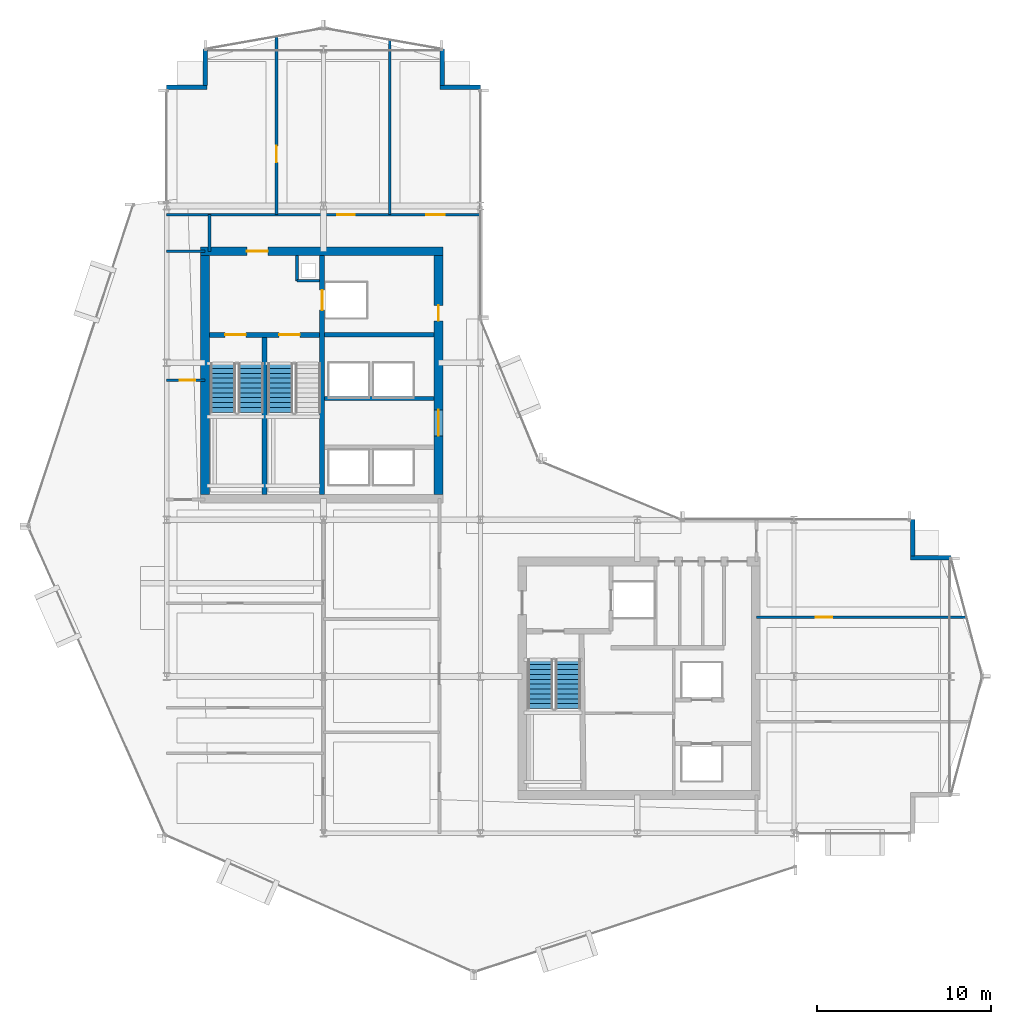
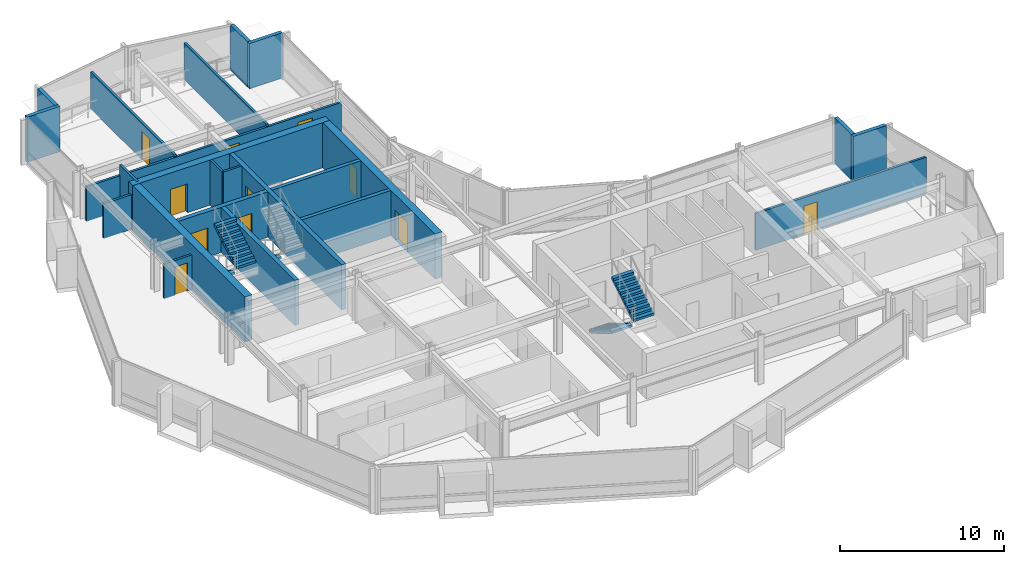
# One storey, part 23 of 29: 23 walls, 11 doors, 5 stair flights, 11 openings, 3 elements without a shape of their own.
"""IFC4 building model written with IfcOpenShell, lengths in metres."""

from ifc_helpers import new_model, si_unit, direction, frame, frame_2d, origin, place, context, subcontext, project, spatial, polyline, rectangle, outline, extrude, material, layer, layer_set, type_object, element, fill, aggregate, save


model = new_model("IFC4")

# Units and contexts
model_context = context("Model", 3, precision=1e-05, world=origin(), true_north=direction((0.0, 1.0)))
body_context = subcontext(model_context, "Body", "Model", "MODEL_VIEW")
ifc_project = project(units=[si_unit("LENGTHUNIT", "METRE"), si_unit("AREAUNIT", "SQUARE_METRE"), si_unit("VOLUMEUNIT", "CUBIC_METRE"), si_unit("PLANEANGLEUNIT", "RADIAN"), si_unit("MASSUNIT", "GRAM", prefix="KILO")], contexts=[model_context])

# Site, building, storey
site_placement = place(None, origin())
site = spatial("IfcSite", under=ifc_project, at=site_placement, CompositionType="ELEMENT")
building_placement = place(site_placement, origin())
building = spatial("IfcBuilding", under=site, at=building_placement, Name="Solvaryn Broadcast Tower", CompositionType="ELEMENT")
storey_placement = place(building_placement, frame((0.0, 0.0, 165.5)))
storey = spatial("IfcBuildingStorey", under=building, at=storey_placement, Name="L41", CompositionType="ELEMENT", Elevation=165.5)

# Wall, opening, door
ifc_material_1 = material(Name="Concrete f'c 70 MPa", Category="concrete")
ifc_layer_1 = layer(ifc_material_1, 0.5)
ifc_layer_set_1 = layer_set([ifc_layer_1], Name="CW-SHEAR-500")
wall_type_1 = type_object("IfcWallType", Name="CW-SHEAR-500", PredefinedType="SHEAR", material=ifc_layer_set_1)
wall_1_placement = place(storey_placement, frame((24.85009765625, 42.39990234375, 0.0), z_axis=(0.0, 0.0, 1.0), x_axis=(-1.0, 0.0, 0.0)))
wall_1 = element("IfcWall", 1, at=wall_1_placement, inside=storey, type_object=wall_type_1, Name="L41 West Core North Shear Wall", PredefinedType="SHEAR", context=body_context, shape_type="SweptSolid", body=[
    extrude(rectangle(XDim=13.900146484375, YDim=0.5, at=frame_2d((6.9501953125, 0.0))), origin(), (0.0, 0.0, 1.0), 3.3701171875),
])
opening_1_placement = place(wall_1_placement, frame((10.050048828125, 0.0, 0.0)))
opening_1 = element("IfcOpeningElement", 2, at=opening_1_placement, cuts=wall_1, Name="Opening FD90A", PredefinedType="OPENING", context=body_context, shape_type="SweptSolid", body=[
    extrude(rectangle(XDim=1.199951171875, YDim=2.14990234375, at=frame_2d((0.60009765625, 1.074951171875))), frame((0.0, 0.260009765625, 0.0), z_axis=(0.0, -1.0, 0.0), x_axis=(1.0, 0.0, 0.0)), (0.0, 0.0, 1.0), 0.52001953125),
])
ifc_material_2 = material(Name="Flush Acoustic Steel and Timber Door Assembly", Category="steel")
door_type_1 = type_object("IfcDoorType", Name="FD90-STAIR-1200X2150", OperationType="NOTDEFINED", PredefinedType="DOOR", material=ifc_material_2)
door_1_placement = place(opening_1_placement, origin())
door_1 = element("IfcDoor", 3, at=door_1_placement, inside=storey, type_object=door_type_1, Name="L41 West FSAE Lobby Corridor Door", OperationType="SINGLE_SWING_LEFT", OverallHeight=2.14990234375, OverallWidth=1.199951171875, PredefinedType="DOOR", context=body_context, shape_type="SweptSolid", body=[
    extrude(rectangle(XDim=1.199951171875, YDim=2.14990234375, at=frame_2d((0.60009765625, 1.074951171875))), frame((0.0, 0.02490234375, 0.0), z_axis=(0.0, -1.0, 0.0), x_axis=(1.0, 0.0, 0.0)), (0.0, 0.0, 1.0), 0.050048828125),
])
fill(opening_1, door_1)

# Wall
wall_2_placement = place(storey_placement, frame((11.199951171875, 42.14990234375, 0.0), z_axis=(0.0, 0.0, 1.0), x_axis=(0.0, -1.0, 0.0)))
element("IfcWall", 4, at=wall_2_placement, inside=storey, type_object=wall_type_1, Name="L41 West Core West Shear Wall", PredefinedType="SHEAR", context=body_context, shape_type="SweptSolid", body=[
    extrude(rectangle(XDim=13.699951171875, YDim=0.5, at=frame_2d((6.85009765625, 0.0))), origin(), (0.0, 0.0, 1.0), 3.3701171875),
])

# Wall, openings, doors
wall_3_placement = place(storey_placement, frame((24.60009765625, 28.449951171875, 0.0), z_axis=(0.0, 0.0, 1.0), x_axis=(0.0, 1.0, 0.0)))
wall_3 = element("IfcWall", 5, at=wall_3_placement, inside=storey, type_object=wall_type_1, Name="L41 West Core East Shear Wall", PredefinedType="SHEAR", context=body_context, shape_type="SweptSolid", body=[
    extrude(rectangle(XDim=13.699951171875, YDim=0.5, at=frame_2d((6.85009765625, 0.0))), origin(), (0.0, 0.0, 1.0), 3.3701171875),
])
opening_2_placement = place(wall_3_placement, frame((3.35009765625, 0.0, 0.0)))
opening_2 = element("IfcOpeningElement", 6, at=opening_2_placement, cuts=wall_3, Name="Opening FD60A", PredefinedType="OPENING", context=body_context, shape_type="SweptSolid", body=[
    extrude(rectangle(XDim=1.5, YDim=2.199951171875, at=frame_2d((0.75, 1.10009765625))), frame((0.0, 0.260009765625, 0.0), z_axis=(0.0, -1.0, 0.0), x_axis=(1.0, 0.0, 0.0)), (0.0, 0.0, 1.0), 0.52001953125),
])
opening_3_placement = place(wall_3_placement, frame((9.949951171875, 0.0, 0.0)))
opening_3 = element("IfcOpeningElement", 7, at=opening_3_placement, cuts=wall_3, Name="Opening FD60C", PredefinedType="OPENING", context=body_context, shape_type="SweptSolid", body=[
    extrude(rectangle(XDim=0.89990234375, YDim=2.10009765625, at=frame_2d((0.449951171875, 1.050048828125))), frame((0.0, 0.260009765625, 0.0), z_axis=(0.0, -1.0, 0.0), x_axis=(1.0, 0.0, 0.0)), (0.0, 0.0, 1.0), 0.52001953125),
])
ifc_material_3 = material(Name="Flush Acoustic Steel and Timber Door Assembly", Category="steel")
door_type_2 = type_object("IfcDoorType", Name="FD60-CORR-1500X2200", OperationType="NOTDEFINED", PredefinedType="DOOR", material=ifc_material_3)
door_2_placement = place(opening_2_placement, origin())
door_2 = element("IfcDoor", 8, at=door_2_placement, inside=storey, type_object=door_type_2, Name="L41 West Elevator Lobby Corridor Door", OperationType="DOUBLE_DOOR_SINGLE_SWING", OverallHeight=2.199951171875, OverallWidth=1.5, PredefinedType="DOOR", context=body_context, shape_type="SweptSolid", body=[
    extrude(rectangle(XDim=1.5, YDim=2.199951171875, at=frame_2d((0.75, 1.10009765625))), frame((0.0, 0.02490234375, 0.0), z_axis=(0.0, -1.0, 0.0), x_axis=(1.0, 0.0, 0.0)), (0.0, 0.0, 1.0), 0.050048828125),
])
fill(opening_2, door_2)
ifc_material_4 = material(Name="Flush Acoustic Steel and Timber Door Assembly", Category="steel")
door_type_3 = type_object("IfcDoorType", Name="FD60-SERV-900X2100", OperationType="NOTDEFINED", PredefinedType="DOOR", material=ifc_material_4)
door_3_placement = place(opening_3_placement, origin())
door_3 = element("IfcDoor", 9, at=door_3_placement, inside=storey, type_object=door_type_3, Name="L41 West Core Service Door 1", OperationType="SINGLE_SWING_LEFT", OverallHeight=2.10009765625, OverallWidth=0.89990234375, PredefinedType="DOOR", context=body_context, shape_type="SweptSolid", body=[
    extrude(rectangle(XDim=0.89990234375, YDim=2.10009765625, at=frame_2d((0.449951171875, 1.050048828125))), frame((0.0, 0.02490234375, 0.0), z_axis=(0.0, -1.0, 0.0), x_axis=(1.0, 0.0, 0.0)), (0.0, 0.0, 1.0), 0.050048828125),
])
fill(opening_3, door_3)

# Walls
ifc_material_5 = material(Name="Concrete f'c 50 MPa", Category="concrete")
ifc_layer_2 = layer(ifc_material_5, 0.260009765625)
ifc_layer_set_2 = layer_set([ifc_layer_2], Name="EW-PIER-260")
wall_type_2 = type_object("IfcWallType", Name="EW-PIER-260", PredefinedType="SOLIDWALL", material=ifc_layer_set_2)
wall_4_placement = place(storey_placement, frame((9.0, 51.800048828125, 0.0), z_axis=(0.0, 0.0, 1.0), x_axis=(1.0, 0.0, 0.0)))
element("IfcWall", 10, at=wall_4_placement, inside=storey, type_object=wall_type_2, Name="L41 Notched Corner Pier Wall NNW1", PredefinedType="SOLIDWALL", context=body_context, shape_type="SweptSolid", body=[
    extrude(rectangle(XDim=2.320068359375, YDim=0.260009765625, at=frame_2d((1.16015625, 0.0))), origin(), (0.0, 0.0, 1.0), 3.3701171875),
])
for number, where, z_axis, x_axis, name in (
    (11, (11.199951171875, 51.919921875, 0.0), (0.0, 0.0, 1.0), (0.0, 1.0, 0.0), "L41 Notched Corner Pier Wall NNW2"),
    (12, (24.800048828125, 54.0, 0.0), (0.0, 0.0, 1.0), (0.0, -1.0, 0.0), "L41 Notched Corner Pier Wall NNE1"),
):
    element("IfcWall", number, at=place(storey_placement, frame(where, z_axis=z_axis, x_axis=x_axis)), inside=storey, type_object=wall_type_2, Name=name, PredefinedType="SOLIDWALL", context=body_context, shape_type="SweptSolid", body=[
        extrude(rectangle(XDim=2.080078125, YDim=0.260009765625, at=frame_2d((1.0400390625, 0.0))), origin(), (0.0, 0.0, 1.0), 3.3701171875),
    ])
for number, where, z_axis, x_axis, name in (
    (13, (24.679931640625, 51.800048828125, 0.0), (0.0, 0.0, 1.0), (1.0, 0.0, 0.0), "L41 Notched Corner Pier Wall NNE2"),
    (14, (54.0, 24.800048828125, 0.0), (0.0, 0.0, 1.0), (-1.0, 0.0, 0.0), "L41 Notched Corner Pier Wall NEE1"),
):
    element("IfcWall", number, at=place(storey_placement, frame(where, z_axis=z_axis, x_axis=x_axis)), inside=storey, type_object=wall_type_2, Name=name, PredefinedType="SOLIDWALL", context=body_context, shape_type="SweptSolid", body=[
        extrude(rectangle(XDim=2.320068359375, YDim=0.260009765625, at=frame_2d((1.16015625, 0.0))), origin(), (0.0, 0.0, 1.0), 3.3701171875),
    ])
wall_5_placement = place(storey_placement, frame((51.800048828125, 24.919921875, 0.0), z_axis=(0.0, 0.0, 1.0), x_axis=(0.0, 1.0, 0.0)))
element("IfcWall", 15, at=wall_5_placement, inside=storey, type_object=wall_type_2, Name="L41 Notched Corner Pier Wall NEE2", PredefinedType="SOLIDWALL", context=body_context, shape_type="SweptSolid", body=[
    extrude(rectangle(XDim=2.080078125, YDim=0.260009765625, at=frame_2d((1.0400390625, 0.0))), origin(), (0.0, 0.0, 1.0), 3.3701171875),
])
ifc_material_6 = material(Name="Metal-Stud Service Core Partition")
ifc_layer_3 = layer(ifc_material_6, 0.14990234375)
ifc_layer_set_3 = layer_set([ifc_layer_3], Name="IW-PART-150")
wall_type_3 = type_object("IfcWallType", Name="IW-PART-150", PredefinedType="PARTITIONING", material=ifc_layer_set_3)
wall_6_placement = place(storey_placement, frame((16.47998046875, 40.699951171875, 0.0), z_axis=(0.0, 0.0, 1.0), x_axis=(1.0, 0.0, 0.0)))
element("IfcWall", 16, at=wall_6_placement, inside=storey, type_object=wall_type_3, Name="L41 West Core Riser Shaft South Wall", PredefinedType="PARTITIONING", context=body_context, shape_type="SweptSolid", body=[
    extrude(rectangle(XDim=1.2900390625, YDim=0.14990234375, at=frame_2d((0.64501953125, 0.0))), origin(), (0.0, 0.0, 1.0), 3.3701171875),
])
wall_7_placement = place(storey_placement, frame((16.47998046875, 40.699951171875, 0.0), z_axis=(0.0, 0.0, 1.0), x_axis=(0.0, 1.0, 0.0)))
element("IfcWall", 17, at=wall_7_placement, inside=storey, type_object=wall_type_3, Name="L41 West Core Riser Shaft West Wall", PredefinedType="PARTITIONING", context=body_context, shape_type="SweptSolid", body=[
    extrude(rectangle(XDim=1.449951171875, YDim=0.14990234375, at=frame_2d((0.72509765625, 0.0))), origin(), (0.0, 0.0, 1.0), 3.3701171875),
])

# Wall, opening, door
wall_8_placement = place(storey_placement, frame((9.0, 35.0, 0.0), z_axis=(0.0, 0.0, 1.0), x_axis=(1.0, 0.0, 0.0)))
wall_8 = element("IfcWall", 18, at=wall_8_placement, inside=storey, type_object=wall_type_3, Name="L41 Interior Partition IW-L41-WM-M", PredefinedType="PARTITIONING", context=body_context, shape_type="SweptSolid", body=[
    extrude(rectangle(XDim=2.199951171875, YDim=0.14990234375, at=frame_2d((1.10009765625, 0.0))), origin(), (0.0, 0.0, 1.0), 2.583984375),
])
opening_4_placement = place(wall_8_placement, frame((0.75, 0.0, 0.0)))
opening_4 = element("IfcOpeningElement", 19, at=opening_4_placement, cuts=wall_8, Name="Opening FD60C", PredefinedType="OPENING", context=body_context, shape_type="SweptSolid", body=[
    extrude(rectangle(XDim=0.89990234375, YDim=2.10009765625, at=frame_2d((0.449951171875, 1.050048828125))), frame((0.0, 0.0849609375, 0.0), z_axis=(0.0, -1.0, 0.0), x_axis=(1.0, 0.0, 0.0)), (0.0, 0.0, 1.0), 0.169921875),
])
door_4_placement = place(opening_4_placement, origin())
door_4 = element("IfcDoor", 20, at=door_4_placement, inside=storey, type_object=door_type_3, Name="L41 Door DR-L41-WM1", OperationType="SINGLE_SWING_LEFT", OverallHeight=2.10009765625, OverallWidth=0.89990234375, PredefinedType="DOOR", context=body_context, shape_type="SweptSolid", body=[
    extrude(rectangle(XDim=0.89990234375, YDim=2.10009765625, at=frame_2d((0.449951171875, 1.050048828125))), frame((0.0, 0.02490234375, 0.0), z_axis=(0.0, -1.0, 0.0), x_axis=(1.0, 0.0, 0.0)), (0.0, 0.0, 1.0), 0.050048828125),
])
fill(opening_4, door_4)

# Walls
ifc_material_7 = material(Name="Metal-Stud Gypsum Office Partition")
ifc_layer_4 = layer(ifc_material_7, 0.159912109375)
ifc_layer_set_4 = layer_set([ifc_layer_4], Name="IW-PART-160")
wall_type_4 = type_object("IfcWallType", Name="IW-PART-160", PredefinedType="PARTITIONING", material=ifc_layer_set_4)
wall_9_placement = place(storey_placement, frame((9.0, 42.39990234375, 0.0), z_axis=(0.0, 0.0, 1.0), x_axis=(1.0, 0.0, 0.0)))
element("IfcWall", 21, at=wall_9_placement, inside=storey, type_object=wall_type_4, Name="L41 Interior Partition IW-L41-WM-N", PredefinedType="PARTITIONING", context=body_context, shape_type="SweptSolid", body=[
    extrude(rectangle(XDim=2.199951171875, YDim=0.159912109375, at=frame_2d((1.10009765625, 0.0))), origin(), (0.0, 0.0, 1.0), 2.583984375),
])
wall_10_placement = place(storey_placement, frame((11.449951171875, 42.39990234375, 0.0), z_axis=(0.0, 0.0, 1.0), x_axis=(0.0, 1.0, 0.0)))
element("IfcWall", 22, at=wall_10_placement, inside=storey, type_object=wall_type_4, Name="L41 Interior Partition IW-L41-WM-E", PredefinedType="PARTITIONING", context=body_context, shape_type="SweptSolid", body=[
    extrude(rectangle(XDim=2.10009765625, YDim=0.159912109375, at=frame_2d((1.050048828125, 0.0))), origin(), (0.0, 0.0, 1.0), 3.3701171875),
])

# Wall, openings, doors
wall_11_placement = place(storey_placement, frame((9.0, 44.5, 0.0), z_axis=(0.0, 0.0, 1.0), x_axis=(1.0, 0.0, 0.0)))
wall_11 = element("IfcWall", 23, at=wall_11_placement, inside=storey, type_object=wall_type_4, Name="L41 Interior Partition IW-L41-NW-SB", PredefinedType="PARTITIONING", context=body_context, shape_type="SweptSolid", body=[
    extrude(rectangle(XDim=18.0, YDim=0.159912109375, at=frame_2d((9.0, 0.0))), origin(), (0.0, 0.0, 1.0), 2.583984375),
])
opening_5_placement = place(wall_11_placement, frame((9.800048828125, 0.0, 0.0)))
opening_5 = element("IfcOpeningElement", 24, at=opening_5_placement, cuts=wall_11, Name="Opening ID02", PredefinedType="OPENING", context=body_context, shape_type="SweptSolid", body=[
    extrude(rectangle(XDim=1.0, YDim=2.10009765625, at=frame_2d((0.5, 1.050048828125))), frame((0.0, 0.090087890625, 0.0), z_axis=(0.0, -1.0, 0.0), x_axis=(1.0, 0.0, 0.0)), (0.0, 0.0, 1.0), 0.179931640625),
])
opening_6_placement = place(wall_11_placement, frame((14.89990234375, 0.0, 0.0)))
opening_6 = element("IfcOpeningElement", 25, at=opening_6_placement, cuts=wall_11, Name="Opening ID03", PredefinedType="OPENING", context=body_context, shape_type="SweptSolid", body=[
    extrude(rectangle(XDim=1.050048828125, YDim=2.14990234375, at=frame_2d((0.52490234375, 1.074951171875))), frame((0.0, 0.090087890625, 0.0), z_axis=(0.0, -1.0, 0.0), x_axis=(1.0, 0.0, 0.0)), (0.0, 0.0, 1.0), 0.179931640625),
])
ifc_material_8 = material(Name="Flush Acoustic Steel and Timber Door Assembly", Category="steel")
door_type_4 = type_object("IfcDoorType", Name="ID-02-1000X2100", OperationType="NOTDEFINED", PredefinedType="DOOR", material=ifc_material_8)
door_5_placement = place(opening_5_placement, origin())
door_5 = element("IfcDoor", 26, at=door_5_placement, inside=storey, type_object=door_type_4, Name="L41 Door DR-L41-NW-2", OperationType="SINGLE_SWING_LEFT", OverallHeight=2.10009765625, OverallWidth=1.0, PredefinedType="DOOR", context=body_context, shape_type="SweptSolid", body=[
    extrude(rectangle(XDim=1.0, YDim=2.10009765625, at=frame_2d((0.5, 1.050048828125))), frame((0.0, 0.02490234375, 0.0), z_axis=(0.0, -1.0, 0.0), x_axis=(1.0, 0.0, 0.0)), (0.0, 0.0, 1.0), 0.050048828125),
])
fill(opening_5, door_5)
ifc_material_9 = material(Name="Flush Acoustic Steel and Timber Door Assembly", Category="steel")
door_type_5 = type_object("IfcDoorType", Name="ID-03-1050X2150", OperationType="NOTDEFINED", PredefinedType="DOOR", material=ifc_material_9)
door_6_placement = place(opening_6_placement, origin())
door_6 = element("IfcDoor", 27, at=door_6_placement, inside=storey, type_object=door_type_5, Name="L41 Door DR-L41-NW-3", OperationType="SINGLE_SWING_RIGHT", OverallHeight=2.14990234375, OverallWidth=1.050048828125, PredefinedType="DOOR", context=body_context, shape_type="SweptSolid", body=[
    extrude(rectangle(XDim=1.050048828125, YDim=2.14990234375, at=frame_2d((0.52490234375, 1.074951171875))), frame((0.0, 0.02490234375, 0.0), z_axis=(0.0, -1.0, 0.0), x_axis=(1.0, 0.0, 0.0)), (0.0, 0.0, 1.0), 0.050048828125),
])
fill(opening_6, door_6)

# Wall, opening, door
wall_12_placement = place(storey_placement, frame((15.300048828125, 44.5, 0.0), z_axis=(0.0, 0.0, 1.0), x_axis=(0.0, 1.0, 0.0)))
wall_12 = element("IfcWall", 28, at=wall_12_placement, inside=storey, type_object=wall_type_4, Name="L41 Interior Partition IW-L41-NW-V1", PredefinedType="PARTITIONING", context=body_context, shape_type="SweptSolid", body=[
    extrude(rectangle(XDim=10.22412109375, YDim=0.159912109375, at=frame_2d((5.112060546875, 0.0))), origin(), (0.0, 0.0, 1.0), 2.739013671875),
])
opening_7_placement = place(wall_12_placement, frame((3.0, 0.0, 0.0)))
opening_7 = element("IfcOpeningElement", 29, at=opening_7_placement, cuts=wall_12, Name="Opening ID01", PredefinedType="OPENING", context=body_context, shape_type="SweptSolid", body=[
    extrude(rectangle(XDim=0.949951171875, YDim=2.10009765625, at=frame_2d((0.47509765625, 1.050048828125))), frame((0.0, 0.090087890625, 0.0), z_axis=(0.0, -1.0, 0.0), x_axis=(1.0, 0.0, 0.0)), (0.0, 0.0, 1.0), 0.179931640625),
])
ifc_material_10 = material(Name="Flush Acoustic Steel and Timber Door Assembly", Category="steel")
door_type_6 = type_object("IfcDoorType", Name="ID-01-950X2100", OperationType="NOTDEFINED", PredefinedType="DOOR", material=ifc_material_10)
door_7_placement = place(opening_7_placement, origin())
door_7 = element("IfcDoor", 30, at=door_7_placement, inside=storey, type_object=door_type_6, Name="L41 Door DR-L41-NW-C1", OperationType="SINGLE_SWING_RIGHT", OverallHeight=2.10009765625, OverallWidth=0.949951171875, PredefinedType="DOOR", context=body_context, shape_type="SweptSolid", body=[
    extrude(rectangle(XDim=0.949951171875, YDim=2.10009765625, at=frame_2d((0.47509765625, 1.050048828125))), frame((0.0, 0.02490234375, 0.0), z_axis=(0.0, -1.0, 0.0), x_axis=(1.0, 0.0, 0.0)), (0.0, 0.0, 1.0), 0.050048828125),
])
fill(opening_7, door_7)

# Wall
wall_13_placement = place(storey_placement, frame((21.800048828125, 44.5, 0.0), z_axis=(0.0, 0.0, 1.0), x_axis=(0.0, 1.0, 0.0)))
element("IfcWall", 31, at=wall_13_placement, inside=storey, type_object=wall_type_4, Name="L41 Interior Partition IW-L41-NW-V2", PredefinedType="PARTITIONING", context=body_context, shape_type="SweptSolid", body=[
    extrude(rectangle(XDim=10.029052734375, YDim=0.159912109375, at=frame_2d((5.0146484375, 0.0))), origin(), (0.0, 0.0, 1.0), 2.739013671875),
])

# Wall, opening, door
wall_14_placement = place(storey_placement, frame((42.85009765625, 21.39990234375, 0.0), z_axis=(0.0, 0.0, 1.0), x_axis=(1.0, 0.0, 0.0)))
wall_14 = element("IfcWall", 32, at=wall_14_placement, inside=storey, type_object=wall_type_4, Name="L41 Interior Partition IW-L41-EW-H2", PredefinedType="PARTITIONING", context=body_context, shape_type="SweptSolid", body=[
    extrude(rectangle(XDim=12.0498046875, YDim=0.159912109375, at=frame_2d((6.02490234375, 0.0))), origin(), (0.0, 0.0, 1.0), 2.741943359375),
])
opening_8_placement = place(wall_14_placement, frame((3.39990234375, 0.0, 0.0)))
opening_8 = element("IfcOpeningElement", 33, at=opening_8_placement, cuts=wall_14, Name="Opening ID01", PredefinedType="OPENING", context=body_context, shape_type="SweptSolid", body=[
    extrude(rectangle(XDim=0.949951171875, YDim=2.10009765625, at=frame_2d((0.47509765625, 1.050048828125))), frame((0.0, 0.090087890625, 0.0), z_axis=(0.0, -1.0, 0.0), x_axis=(1.0, 0.0, 0.0)), (0.0, 0.0, 1.0), 0.179931640625),
])
door_8_placement = place(opening_8_placement, origin())
door_8 = element("IfcDoor", 34, at=door_8_placement, inside=storey, type_object=door_type_6, Name="L41 Door DR-L41-EW-2", OperationType="SINGLE_SWING_LEFT", OverallHeight=2.10009765625, OverallWidth=0.949951171875, PredefinedType="DOOR", context=body_context, shape_type="SweptSolid", body=[
    extrude(rectangle(XDim=0.949951171875, YDim=2.10009765625, at=frame_2d((0.47509765625, 1.050048828125))), frame((0.0, 0.02490234375, 0.0), z_axis=(0.0, -1.0, 0.0), x_axis=(1.0, 0.0, 0.0)), (0.0, 0.0, 1.0), 0.050048828125),
])
fill(opening_8, door_8)

# Walls
ifc_material_11 = material(Name="Concrete f'c 60 MPa", Category="concrete")
ifc_layer_5 = layer(ifc_material_11, 0.25)
ifc_layer_set_5 = layer_set([ifc_layer_5], Name="SW-SHAFT-250")
wall_type_5 = type_object("IfcWallType", Name="SW-SHAFT-250", PredefinedType="PARTITIONING", material=ifc_layer_set_5)
for number, where, z_axis, x_axis, name in (
    (35, (18.070068359375, 37.60009765625, 0.0), (0.0, 0.0, 1.0), (1.0, 0.0, 0.0), "L41 West Core FSAE Hoistway Front Wall"),
    (36, (24.35009765625, 33.949951171875, 0.0), (0.0, 0.0, 1.0), (-1.0, 0.0, 0.0), "L41 High-Rise Lift Bank North Wall"),
):
    element("IfcWall", number, at=place(storey_placement, frame(where, z_axis=z_axis, x_axis=x_axis)), inside=storey, type_object=wall_type_5, Name=name, PredefinedType="PARTITIONING", context=body_context, shape_type="SweptSolid", body=[
        extrude(rectangle(XDim=6.280029296875, YDim=0.25, at=frame_2d((3.14013671875, 0.0))), origin(), (0.0, 0.0, 1.0), 3.3701171875),
    ])
ifc_material_12 = material(Name="Concrete f'c 70 MPa", Category="concrete")
ifc_layer_6 = layer(ifc_material_12, 0.300048828125)
ifc_layer_set_6 = layer_set([ifc_layer_6], Name="SW-SHAFT-300")
wall_type_6 = type_object("IfcWallType", Name="SW-SHAFT-300", PredefinedType="SHEAR", material=ifc_layer_set_6)
wall_15_placement = place(storey_placement, frame((14.6201171875, 28.449951171875, 0.0), z_axis=(0.0, 0.0, 1.0), x_axis=(0.0, 1.0, 0.0)))
element("IfcWall", 37, at=wall_15_placement, inside=storey, type_object=wall_type_6, Name="L41 Stair 1-2 Dividing Wall", PredefinedType="SHEAR", context=body_context, shape_type="SweptSolid", body=[
    extrude(rectangle(XDim=9.0, YDim=0.300048828125, at=frame_2d((4.5, 0.0))), origin(), (0.0, 0.0, 1.0), 3.3701171875),
])

# Wall, opening, door
wall_16_placement = place(storey_placement, frame((17.919921875, 42.14990234375, 0.0), z_axis=(0.0, 0.0, 1.0), x_axis=(0.0, -1.0, 0.0)))
wall_16 = element("IfcWall", 38, at=wall_16_placement, inside=storey, type_object=wall_type_6, Name="L41 West Core Stair-Lobby Shear Wall", PredefinedType="SHEAR", context=body_context, shape_type="SweptSolid", body=[
    extrude(rectangle(XDim=13.699951171875, YDim=0.300048828125, at=frame_2d((6.85009765625, 0.0))), origin(), (0.0, 0.0, 1.0), 3.3701171875),
])
opening_9_placement = place(wall_16_placement, frame((1.97509765625, 0.0, 0.0)))
opening_9 = element("IfcOpeningElement", 39, at=opening_9_placement, cuts=wall_16, Name="Opening LD01", PredefinedType="OPENING", context=body_context, shape_type="SweptSolid", body=[
    extrude(rectangle(XDim=1.14990234375, YDim=2.14990234375, at=frame_2d((0.574951171875, 1.074951171875))), frame((0.0, 0.159912109375, 0.0), z_axis=(0.0, -1.0, 0.0), x_axis=(1.0, 0.0, 0.0)), (0.0, 0.0, 1.0), 0.320068359375),
])
ifc_material_13 = material(Name="Flush Acoustic Steel and Timber Door Assembly", Category="steel")
door_type_7 = type_object("IfcDoorType", Name="LD-LIFT-1150X2150", OperationType="NOTDEFINED", PredefinedType="DOOR", material=ifc_material_13)
door_9_placement = place(opening_9_placement, origin())
door_9 = element("IfcDoor", 40, at=door_9_placement, inside=storey, type_object=door_type_7, Name="L41 FL1 Lift Landing Door", OperationType="DOUBLE_DOOR_SLIDING", OverallHeight=2.14990234375, OverallWidth=1.14990234375, PredefinedType="DOOR", context=body_context, shape_type="SweptSolid", body=[
    extrude(rectangle(XDim=1.14990234375, YDim=2.14990234375, at=frame_2d((0.574951171875, 1.074951171875))), frame((0.0, 0.02490234375, 0.0), z_axis=(0.0, -1.0, 0.0), x_axis=(1.0, 0.0, 0.0)), (0.0, 0.0, 1.0), 0.050048828125),
])
fill(opening_9, door_9)

# Wall, openings, doors
wall_17_placement = place(storey_placement, frame((17.77001953125, 37.60009765625, 0.0), z_axis=(0.0, 0.0, 1.0), x_axis=(-1.0, 0.0, 0.0)))
wall_17 = element("IfcWall", 41, at=wall_17_placement, inside=storey, type_object=wall_type_6, Name="L41 West Core FSAE Lobby South Wall", PredefinedType="SHEAR", context=body_context, shape_type="SweptSolid", body=[
    extrude(rectangle(XDim=6.320068359375, YDim=0.300048828125, at=frame_2d((3.16015625, 0.0))), origin(), (0.0, 0.0, 1.0), 3.3701171875),
])
opening_10_placement = place(wall_17_placement, frame((4.219970703125, 0.0, 0.0)))
opening_10 = element("IfcOpeningElement", 42, at=opening_10_placement, cuts=wall_17, Name="Opening FD90A", PredefinedType="OPENING", context=body_context, shape_type="SweptSolid", body=[
    extrude(rectangle(XDim=1.199951171875, YDim=2.14990234375, at=frame_2d((0.60009765625, 1.074951171875))), frame((0.0, 0.159912109375, 0.0), z_axis=(0.0, -1.0, 0.0), x_axis=(1.0, 0.0, 0.0)), (0.0, 0.0, 1.0), 0.320068359375),
])
opening_11_placement = place(wall_17_placement, frame((1.1201171875, 0.0, 0.0)))
opening_11 = element("IfcOpeningElement", 43, at=opening_11_placement, cuts=wall_17, Name="Opening FD90A", PredefinedType="OPENING", context=body_context, shape_type="SweptSolid", body=[
    extrude(rectangle(XDim=1.199951171875, YDim=2.14990234375, at=frame_2d((0.60009765625, 1.074951171875))), frame((0.0, 0.159912109375, 0.0), z_axis=(0.0, -1.0, 0.0), x_axis=(1.0, 0.0, 0.0)), (0.0, 0.0, 1.0), 0.320068359375),
])
door_10_placement = place(opening_10_placement, origin())
door_10 = element("IfcDoor", 44, at=door_10_placement, inside=storey, type_object=door_type_1, Name="L41 Stair 1 Fire Door", OperationType="SINGLE_SWING_LEFT", OverallHeight=2.14990234375, OverallWidth=1.199951171875, PredefinedType="DOOR", context=body_context, shape_type="SweptSolid", body=[
    extrude(rectangle(XDim=1.199951171875, YDim=2.14990234375, at=frame_2d((0.60009765625, 1.074951171875))), frame((0.0, 0.02490234375, 0.0), z_axis=(0.0, -1.0, 0.0), x_axis=(1.0, 0.0, 0.0)), (0.0, 0.0, 1.0), 0.050048828125),
])
fill(opening_10, door_10)
door_11_placement = place(opening_11_placement, origin())
door_11 = element("IfcDoor", 45, at=door_11_placement, inside=storey, type_object=door_type_1, Name="L41 Stair 2 Fire Door", OperationType="SINGLE_SWING_RIGHT", OverallHeight=2.14990234375, OverallWidth=1.199951171875, PredefinedType="DOOR", context=body_context, shape_type="SweptSolid", body=[
    extrude(rectangle(XDim=1.199951171875, YDim=2.14990234375, at=frame_2d((0.60009765625, 1.074951171875))), frame((0.0, 0.02490234375, 0.0), z_axis=(0.0, -1.0, 0.0), x_axis=(1.0, 0.0, 0.0)), (0.0, 0.0, 1.0), 0.050048828125),
])
fill(opening_11, door_11)

# Stair, stair flights
ifc_material_14 = material(Name="Concrete f'c 60 MPa", Category="concrete")
stair_type = type_object("IfcStairType", Name="ST-CORE", PredefinedType="HALF_TURN_STAIR", material=ifc_material_14)
stair_1_placement = place(storey_placement, origin())
stair_1 = element("IfcStair", 46, at=stair_1_placement, inside=storey, type_object=stair_type, Name="L41 ST1", PredefinedType="HALF_TURN_STAIR")
ifc_material_15 = material(Name="Concrete f'c 60 MPa", Category="concrete")
ifc_layer_7 = layer(ifc_material_15, 0.159912109375)
ifc_layer_set_7 = layer_set([ifc_layer_7], Name="SF-CORE")
stair_flight_type = type_object("IfcStairFlightType", Name="SF-CORE", PredefinedType="STRAIGHT", material=ifc_layer_set_7)
stair_flight_1_placement = place(storey_placement, frame((12.239990234375, 35.9599609375, 0.0), z_axis=(0.0, 0.0, 1.0), x_axis=(0.0, -1.0, 0.0)))
stair_flight_1 = element("IfcStairFlight", 47, at=stair_flight_1_placement, type_object=stair_flight_type, Name="ST1 flight 1", NumberOfRisers=11, NumberOfTreads=10, PredefinedType="STRAIGHT", RiserHeight=0.168181818, TreadLength=0.28, context=body_context, shape_type="SweptSolid", body=[
    extrude(outline(polyline([(0.0, 0.0), (0.0, 0.168212890625), (0.280029296875, 0.168212890625), (0.280029296875, 0.33642578125), (0.56005859375, 0.33642578125), (0.56005859375, 0.504638671875), (0.840087890625, 0.504638671875), (0.840087890625, 0.672607421875), (1.1201171875, 0.672607421875), (1.1201171875, 0.8408203125), (1.39990234375, 0.8408203125), (1.39990234375, 1.009033203125), (1.679931640625, 1.009033203125), (1.679931640625, 1.17724609375), (1.9599609375, 1.17724609375), (1.9599609375, 1.345458984375), (2.239990234375, 1.345458984375), (2.239990234375, 1.513671875), (2.52001953125, 1.513671875), (2.52001953125, 1.681884765625), (2.800048828125, 1.681884765625), (2.800048828125, 1.85009765625), (2.800048828125, 1.5068359375), (0.291015625, 0.0), (0.0, 0.0)])), frame((0.0, 0.719970703125, 0.0), z_axis=(0.0, -1.0, 0.0), x_axis=(1.0, 0.0, 0.0)), (0.0, 0.0, 1.0), 1.43994140625),
])
stair_flight_2_placement = place(storey_placement, frame((13.830078125, 33.159912109375, 1.85009765625), z_axis=(0.0, 0.0, 1.0), x_axis=(0.0, 1.0, 0.0)))
stair_flight_2 = element("IfcStairFlight", 48, at=stair_flight_2_placement, type_object=stair_flight_type, Name="ST1 flight 2", NumberOfRisers=11, NumberOfTreads=10, PredefinedType="STRAIGHT", RiserHeight=0.168181818, TreadLength=0.28, context=body_context, shape_type="SweptSolid", body=[
    extrude(outline(polyline([(0.0, 0.0), (0.0, 0.168212890625), (0.280029296875, 0.168212890625), (0.280029296875, 0.33642578125), (0.56005859375, 0.33642578125), (0.56005859375, 0.504638671875), (0.840087890625, 0.504638671875), (0.840087890625, 0.672607421875), (1.1201171875, 0.672607421875), (1.1201171875, 0.8408203125), (1.39990234375, 0.8408203125), (1.39990234375, 1.009033203125), (1.679931640625, 1.009033203125), (1.679931640625, 1.17724609375), (1.9599609375, 1.17724609375), (1.9599609375, 1.345458984375), (2.239990234375, 1.345458984375), (2.239990234375, 1.513671875), (2.52001953125, 1.513671875), (2.52001953125, 1.681884765625), (2.800048828125, 1.681884765625), (2.800048828125, 1.85009765625), (2.800048828125, 1.5068359375), (0.291015625, 0.0), (0.0, 0.0)])), frame((0.0, 0.719970703125, 0.0), z_axis=(0.0, -1.0, 0.0), x_axis=(1.0, 0.0, 0.0)), (0.0, 0.0, 1.0), 1.43994140625),
])
aggregate(stair_1, [stair_flight_1, stair_flight_2])

# Stair, stair flight
stair_2_placement = place(storey_placement, origin())
stair_2 = element("IfcStair", 49, at=stair_2_placement, inside=storey, type_object=stair_type, Name="L41 ST2", PredefinedType="HALF_TURN_STAIR")
stair_flight_3_placement = place(storey_placement, frame((15.52001953125, 35.9599609375, 0.0), z_axis=(0.0, 0.0, 1.0), x_axis=(0.0, -1.0, 0.0)))
stair_flight_3 = element("IfcStairFlight", 50, at=stair_flight_3_placement, type_object=stair_flight_type, Name="ST2 flight 1", NumberOfRisers=11, NumberOfTreads=10, PredefinedType="STRAIGHT", RiserHeight=0.168181818, TreadLength=0.28, context=body_context, shape_type="SweptSolid", body=[
    extrude(outline(polyline([(0.0, 0.0), (0.0, 0.168212890625), (0.280029296875, 0.168212890625), (0.280029296875, 0.33642578125), (0.56005859375, 0.33642578125), (0.56005859375, 0.504638671875), (0.840087890625, 0.504638671875), (0.840087890625, 0.672607421875), (1.1201171875, 0.672607421875), (1.1201171875, 0.8408203125), (1.39990234375, 0.8408203125), (1.39990234375, 1.009033203125), (1.679931640625, 1.009033203125), (1.679931640625, 1.17724609375), (1.9599609375, 1.17724609375), (1.9599609375, 1.345458984375), (2.239990234375, 1.345458984375), (2.239990234375, 1.513671875), (2.52001953125, 1.513671875), (2.52001953125, 1.681884765625), (2.800048828125, 1.681884765625), (2.800048828125, 1.85009765625), (2.800048828125, 1.5068359375), (0.291015625, 0.0), (0.0, 0.0)])), frame((0.0, 0.719970703125, 0.0), z_axis=(0.0, -1.0, 0.0), x_axis=(1.0, 0.0, 0.0)), (0.0, 0.0, 1.0), 1.43994140625),
])
aggregate(stair_2, [stair_flight_3])

# Stair, stair flights
stair_3_placement = place(storey_placement, origin())
stair_3 = element("IfcStair", 51, at=stair_3_placement, inside=storey, type_object=stair_type, Name="L41 ST3", PredefinedType="HALF_TURN_STAIR")
stair_flight_4_placement = place(storey_placement, frame((30.43994140625, 18.9599609375, 0.0), z_axis=(0.0, 0.0, 1.0), x_axis=(0.0, -1.0, 0.0)))
stair_flight_4 = element("IfcStairFlight", 52, at=stair_flight_4_placement, type_object=stair_flight_type, Name="ST3 flight 1", NumberOfRisers=11, NumberOfTreads=10, PredefinedType="STRAIGHT", RiserHeight=0.168181818, TreadLength=0.28, context=body_context, shape_type="SweptSolid", body=[
    extrude(outline(polyline([(0.0, 0.0), (0.0, 0.168212890625), (0.280029296875, 0.168212890625), (0.280029296875, 0.33642578125), (0.56005859375, 0.33642578125), (0.56005859375, 0.504638671875), (0.840087890625, 0.504638671875), (0.840087890625, 0.672607421875), (1.1201171875, 0.672607421875), (1.1201171875, 0.8408203125), (1.39990234375, 0.8408203125), (1.39990234375, 1.009033203125), (1.679931640625, 1.009033203125), (1.679931640625, 1.17724609375), (1.9599609375, 1.17724609375), (1.9599609375, 1.345458984375), (2.239990234375, 1.345458984375), (2.239990234375, 1.513671875), (2.52001953125, 1.513671875), (2.52001953125, 1.681884765625), (2.800048828125, 1.681884765625), (2.800048828125, 1.85009765625), (2.800048828125, 1.5068359375), (0.291015625, 0.0), (0.0, 0.0)])), frame((0.0, 0.719970703125, 0.0), z_axis=(0.0, -1.0, 0.0), x_axis=(1.0, 0.0, 0.0)), (0.0, 0.0, 1.0), 1.43994140625),
])
stair_flight_5_placement = place(storey_placement, frame((32.030029296875, 16.159912109375, 1.85009765625), z_axis=(0.0, 0.0, 1.0), x_axis=(0.0, 1.0, 0.0)))
stair_flight_5 = element("IfcStairFlight", 53, at=stair_flight_5_placement, type_object=stair_flight_type, Name="ST3 flight 2", NumberOfRisers=11, NumberOfTreads=10, PredefinedType="STRAIGHT", RiserHeight=0.168181818, TreadLength=0.28, context=body_context, shape_type="SweptSolid", body=[
    extrude(outline(polyline([(0.0, 0.0), (0.0, 0.168212890625), (0.280029296875, 0.168212890625), (0.280029296875, 0.33642578125), (0.56005859375, 0.33642578125), (0.56005859375, 0.504638671875), (0.840087890625, 0.504638671875), (0.840087890625, 0.672607421875), (1.1201171875, 0.672607421875), (1.1201171875, 0.8408203125), (1.39990234375, 0.8408203125), (1.39990234375, 1.009033203125), (1.679931640625, 1.009033203125), (1.679931640625, 1.17724609375), (1.9599609375, 1.17724609375), (1.9599609375, 1.345458984375), (2.239990234375, 1.345458984375), (2.239990234375, 1.513671875), (2.52001953125, 1.513671875), (2.52001953125, 1.681884765625), (2.800048828125, 1.681884765625), (2.800048828125, 1.85009765625), (2.800048828125, 1.5068359375), (0.291015625, 0.0), (0.0, 0.0)])), frame((0.0, 0.719970703125, 0.0), z_axis=(0.0, -1.0, 0.0), x_axis=(1.0, 0.0, 0.0)), (0.0, 0.0, 1.0), 1.43994140625),
])
aggregate(stair_3, [stair_flight_4, stair_flight_5])

save(model, "model.ifc")
